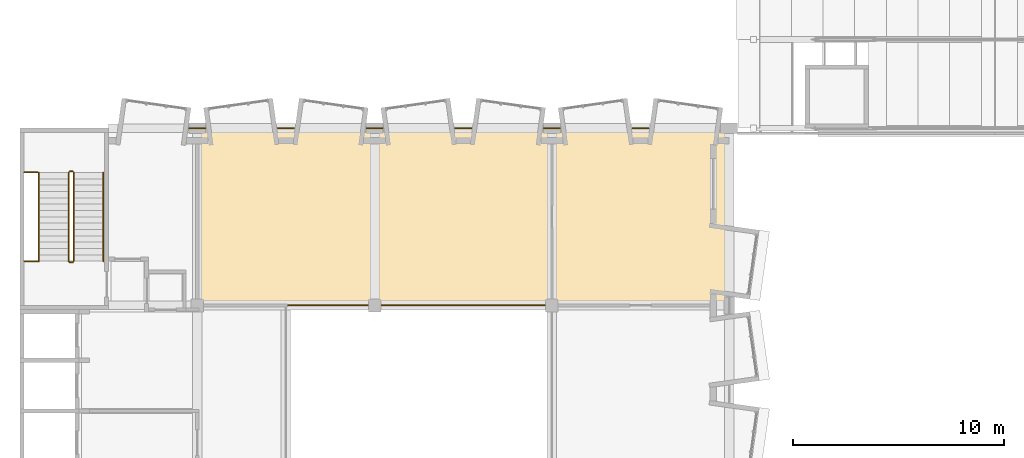
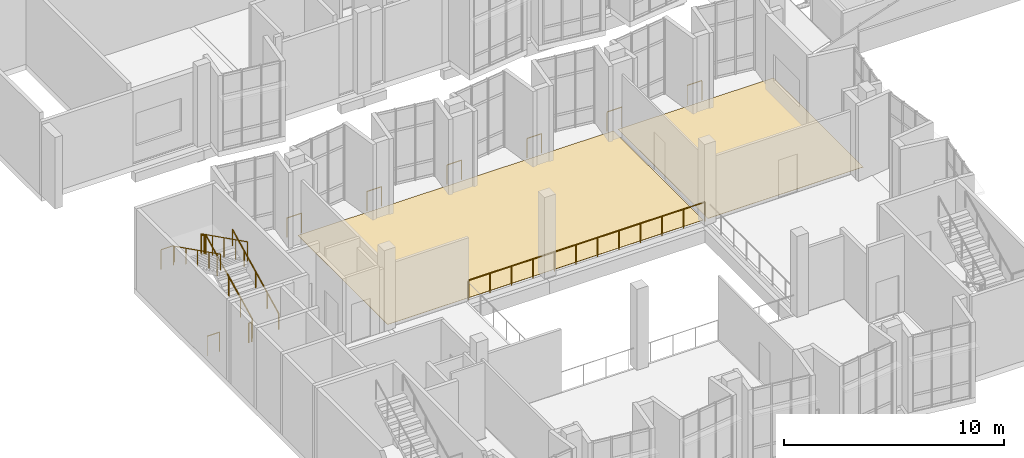
# One storey, part 92 of 95: 15 railings, 2 coverings.
"""IFC4 building model written with IfcOpenShell, lengths in metres."""

import ifcopenshell
import ifcopenshell.guid

model = None  # the IFC model being written
_history = None  # IfcOwnerHistory: only IFC2X3 demands one
_inside = {}  # id of a spatial element -> (the spatial element, [elements in it])
_under = {}  # id of a project, library or spatial element -> (it, [spatial elements below it])
_declared = {}  # id of a project -> (the project, [libraries it declares])
_typed = {}  # id of a type object -> (the type object, [elements of that type])
_made_of = {}  # id of a material, layer set ... -> (it, [elements and type objects made of it])


def new_model(schema):
    """Start an empty IFC model of exactly this schema.

    Asked for "IFC4X3", IfcOpenShell would pick the latest addendum, in which some entities
    have other attributes; the version numbers below select the first issue.
    IFC2X3 requires an IfcOwnerHistory on every rooted entity: one is made here for all.
    """
    global model, _history
    if schema == "IFC4X3":
        model = ifcopenshell.file(schema_version=(4, 3, 0, 0))
    else:
        model = ifcopenshell.file(schema=schema)
    _inside.clear()
    _under.clear()
    _declared.clear()
    _typed.clear()
    _made_of.clear()
    _history = None
    if model.schema == "IFC2X3":
        org = make("IfcOrganization", Name="unknown")
        user = make(
            "IfcPersonAndOrganization",
            ThePerson=make("IfcPerson", FamilyName="unknown"),
            TheOrganization=org,
        )
        app = make(
            "IfcApplication",
            ApplicationDeveloper=org,
            Version="unknown",
            ApplicationFullName="unknown",
            ApplicationIdentifier="unknown",
        )
        _history = make(
            "IfcOwnerHistory",
            OwningUser=user,
            OwningApplication=app,
            ChangeAction="ADDED",
            CreationDate=0,
        )
    return model


def make(cls, **values):
    """One entity of the class cls with the attributes given. An attribute that is None is left unset."""
    return model.create_entity(
        cls, **{name: value for name, value in values.items() if value is not None}
    )


def rooted(cls, **values):
    """An entity with a GlobalId (a new one), such as an element, a storey or a relation."""
    return make(cls, GlobalId=ifcopenshell.guid.new(), OwnerHistory=_history, **values)


def si_unit(unit_type, name, prefix=None):
    """IfcSIUnit, for example si_unit("LENGTHUNIT", "METRE", prefix="MILLI")."""
    return make("IfcSIUnit", UnitType=unit_type, Prefix=prefix, Name=name)


def assignment(units):
    """IfcUnitAssignment: the units of a project."""
    return None if units is None else make("IfcUnitAssignment", Units=units)


def point(xyz):
    """IfcCartesianPoint."""
    return None if xyz is None else make("IfcCartesianPoint", Coordinates=xyz)


def direction(xyz):
    """IfcDirection."""
    return None if xyz is None else make("IfcDirection", DirectionRatios=xyz)


def frame(location, z_axis=None, x_axis=None):
    """IfcAxis2Placement3D, a coordinate frame: its origin and axes. An axis left out is left unset."""
    return make(
        "IfcAxis2Placement3D",
        Location=point(location),
        Axis=direction(z_axis),
        RefDirection=direction(x_axis),
    )


def frame_2d(location, x_axis=None):
    """IfcAxis2Placement2D, a coordinate frame in the plane: its origin and x axis."""
    return make(
        "IfcAxis2Placement2D", Location=point(location), RefDirection=direction(x_axis)
    )


def origin():
    """The frame at (0, 0, 0) with its axes left unset."""
    return frame((0.0, 0.0, 0.0))


def origin_2d():
    """The frame at (0, 0) in the plane with its x axis left unset."""
    return frame_2d((0.0, 0.0))


def place(relative_to, where):
    """IfcLocalPlacement: puts the frame where relative to a parent placement (None: the world)."""
    return make(
        "IfcLocalPlacement", PlacementRelTo=relative_to, RelativePlacement=where
    )


def context(
    kind, dimensions, precision=None, world=None, true_north=None, identifier=None
):
    """IfcGeometricRepresentationContext, for example the 3D "Model" context."""
    return make(
        "IfcGeometricRepresentationContext",
        ContextIdentifier=identifier,
        ContextType=kind,
        CoordinateSpaceDimension=dimensions,
        Precision=precision,
        WorldCoordinateSystem=world,
        TrueNorth=true_north,
    )


def subcontext(parent, identifier, kind, view, scale=None):
    """IfcGeometricRepresentationSubContext, for example "Body" below "Model"."""
    return make(
        "IfcGeometricRepresentationSubContext",
        ContextIdentifier=identifier,
        ContextType=kind,
        ParentContext=parent,
        TargetScale=scale,
        TargetView=view,
    )


def project(units=None, contexts=None):
    """IfcProject with its units and contexts."""
    return rooted(
        "IfcProject",
        Name="project",
        RepresentationContexts=contexts,
        UnitsInContext=assignment(units),
    )


def spatial(cls, under=None, at=None, **own):
    """A site, building, storey or space (cls), placed at a placement, below another one or the project."""
    s = rooted(cls, ObjectPlacement=at, **own)
    if under is not None:
        _under.setdefault(under.id(), (under, []))[1].append(s)
    return s


def polyline(points):
    """IfcPolyline through the points."""
    return make("IfcPolyline", Points=[point(p) for p in points])


def profile(cls, at=None, kind="AREA", **sizes):
    """A parametric profile (cls). Its sizes go by their IFC names, for example OverallWidth=200.0."""
    return make(cls, ProfileType=kind, Position=at, **sizes)


def circle(**sizes):
    """IfcCircleProfileDef."""
    return profile("IfcCircleProfileDef", **sizes)


def outline(outer, holes=None, kind="AREA"):
    """IfcArbitraryClosedProfileDef: a profile drawn as a closed curve; with holes, ...WithVoids."""
    if holes is None:
        return make("IfcArbitraryClosedProfileDef", ProfileType=kind, OuterCurve=outer)
    return make(
        "IfcArbitraryProfileDefWithVoids",
        ProfileType=kind,
        OuterCurve=outer,
        InnerCurves=holes,
    )


def extrude(swept, where, along, depth):
    """IfcExtrudedAreaSolid: the profile swept, set in the frame where, extruded along a direction by depth."""
    return make(
        "IfcExtrudedAreaSolid",
        SweptArea=swept,
        Position=where,
        ExtrudedDirection=direction(along),
        Depth=depth,
    )


def shape(context_of_items, identifier, shape_type, items):
    """IfcShapeRepresentation: the items that make up one representation, for example the "Body"."""
    return make(
        "IfcShapeRepresentation",
        ContextOfItems=context_of_items,
        RepresentationIdentifier=identifier,
        RepresentationType=shape_type,
        Items=items,
    )


def material(Name=None, Category=None):
    """IfcMaterial."""
    return make("IfcMaterial", Name=Name, Category=Category)


def layer(
    of_material, thickness, ventilated=None, Name=None, Category=None, Priority=None
):
    """IfcMaterialLayer: one layer of a wall or slab, of a material (None: an air gap)."""
    return make(
        "IfcMaterialLayer",
        Material=of_material,
        LayerThickness=thickness,
        IsVentilated=ventilated,
        Name=Name,
        Category=Category,
        Priority=Priority,
    )


def layer_set(layers, Name=None):
    """IfcMaterialLayerSet."""
    return make("IfcMaterialLayerSet", MaterialLayers=layers, LayerSetName=Name)


def made_of(thing, what):
    """Note that an element or type object is made of a material, layer set ...; save() writes the relation."""
    if what is not None:
        _made_of.setdefault(what.id(), (what, []))[1].append(thing)
    return thing


def type_object(cls, material=None, **own):
    """A type object (cls), such as IfcWallType, which elements share."""
    return made_of(rooted(cls, **own), material)


def element(
    cls,
    number,
    at=None,
    inside=None,
    cuts=None,
    type_object=None,
    material=None,
    context=None,
    identifier="Body",
    shape_type=None,
    held_by="IfcProductDefinitionShape",
    body=None,
    shapes=None,
    **own,
):
    """One element of the class cls, such as IfcWall. Its Tag is "e" and its number.

    at: its placement. inside: the storey or other place that contains it. cuts: it is an
    opening in that element (IfcRelVoidsElement). A single representation is given by context,
    identifier, shape_type and body (its items); several are given by shapes. held_by: the class
    of the entity that holds the representations. save() writes the other relations.
    """
    e = rooted(cls, Tag="e%d" % number, ObjectPlacement=at, **own)
    if body is not None:
        shapes = [shape(context, identifier, shape_type, body)]
    if shapes is not None:
        e.Representation = make(held_by, Representations=shapes)
    if inside is not None:
        _inside.setdefault(inside.id(), (inside, []))[1].append(e)
    if cuts is not None:
        rooted(
            "IfcRelVoidsElement", RelatingBuildingElement=cuts, RelatedOpeningElement=e
        )
    if type_object is not None:
        _typed.setdefault(type_object.id(), (type_object, []))[1].append(e)
    return made_of(e, material)


def aggregate(whole, parts):
    """IfcRelAggregates: a whole, such as a stair, and the parts it consists of."""
    return rooted("IfcRelAggregates", RelatingObject=whole, RelatedObjects=parts)


def save(model, path):
    """Write the relations noted so far, then the file.

    IfcRelAggregates (storeys below a building ...), IfcRelContainedInSpatialStructure (elements
    in a storey), IfcRelDefinesByType, IfcRelAssociatesMaterial and IfcRelDeclares: one each for
    every whole, place, type object, material and project.
    """
    for whole, parts in _under.values():
        aggregate(whole, parts)
    for where, things in _inside.values():
        rooted(
            "IfcRelContainedInSpatialStructure",
            RelatedElements=things,
            RelatingStructure=where,
        )
    for kind, things in _typed.values():
        rooted("IfcRelDefinesByType", RelatedObjects=things, RelatingType=kind)
    for what, things in _made_of.values():
        rooted("IfcRelAssociatesMaterial", RelatedObjects=things, RelatingMaterial=what)
    for by, libraries in _declared.values():
        rooted("IfcRelDeclares", RelatingContext=by, RelatedDefinitions=libraries)
    model.write(path)


model = new_model("IFC4")

# Units and contexts
model_context = context("Model", 3, precision=1e-05, world=origin(), true_north=direction((0.0, 1.0)))
body_context = subcontext(model_context, "Body", "Model", "MODEL_VIEW")
ifc_project = project(units=[si_unit("LENGTHUNIT", "METRE"), si_unit("AREAUNIT", "SQUARE_METRE"), si_unit("VOLUMEUNIT", "CUBIC_METRE"), si_unit("PLANEANGLEUNIT", "RADIAN"), si_unit("MASSUNIT", "GRAM", prefix="KILO")], contexts=[model_context])

# Site, building, storey
site_placement = place(None, origin())
site = spatial("IfcSite", under=ifc_project, at=site_placement, CompositionType="ELEMENT")
building_placement = place(site_placement, origin())
building = spatial("IfcBuilding", under=site, at=building_placement, Name="Kiln Court Media Centre", CompositionType="ELEMENT")
storey_placement = place(building_placement, frame((0.0, 0.0, 24.60009765625)))
storey = spatial("IfcBuildingStorey", under=building, at=storey_placement, Name="L05", CompositionType="ELEMENT", Elevation=24.60009765625)

# Coverings
ifc_material_1 = material(Name="Carpet tile")
ifc_layer = layer(ifc_material_1, 0.014892578125)
ifc_layer_set = layer_set([ifc_layer], Name="Carpet tile floor finish 15")
covering_type = type_object("IfcCoveringType", Name="Carpet tile floor finish 15", PredefinedType="FLOORING", material=ifc_layer_set)
covering_1_placement = place(storey_placement, origin())
element("IfcCovering", 1, at=covering_1_placement, inside=storey, type_object=covering_type, Name="Media Stacks floor finish", PredefinedType="FLOORING", context=body_context, shape_type="SweptSolid", body=[
    extrude(outline(polyline([(8.52001953125, 16.919921875), (25.080078125, 16.919921875), (25.080078125, 25.080078125), (8.52001953125, 25.080078125), (8.52001953125, 16.919921875)])), origin(), (0.0, 0.0, 1.0), 0.014892578125),
])
covering_2_placement = place(storey_placement, origin())
element("IfcCovering", 2, at=covering_2_placement, inside=storey, type_object=covering_type, Name="Archive Reading Room floor finish", PredefinedType="FLOORING", context=body_context, shape_type="SweptSolid", body=[
    extrude(outline(polyline([(25.320068359375, 16.919921875), (33.47998046875, 16.919921875), (33.47998046875, 25.080078125), (25.320068359375, 25.080078125), (25.320068359375, 16.919921875)])), origin(), (0.0, 0.0, 1.0), 0.014892578125),
])

# Railings
ifc_material_2 = material(Name="Steel S275", Category="steel")
railing_type_1 = type_object("IfcRailingType", Name="Steel S275 balustrade guard 1100", PredefinedType="GUARDRAIL", material=ifc_material_2)
railing_1_placement = place(storey_placement, frame((25.10498046875, 16.800048828125, 0.0)))
element("IfcRailing", 3, at=railing_1_placement, inside=storey, type_object=railing_type_1, Name="L05 void edge guard", PredefinedType="GUARDRAIL", context=body_context, shape_type="SweptSolid", body=[
    extrude(circle(Radius=0.02392578125, at=origin_2d()), frame((0.0, 0.0, 1.076171875), z_axis=(-1.0, 0.0, 0.0), x_axis=(0.0, -1.0, 0.0)), (0.0, 0.0, 1.0), 12.409912109375),
    extrude(circle(Radius=0.02099609375, at=origin_2d()), origin(), (0.0, 0.0, 1.0), 1.052001953125),
    extrude(circle(Radius=0.02099609375, at=origin_2d()), frame((-1.128173828125, 0.0, 0.0)), (0.0, 0.0, 1.0), 1.052001953125),
    extrude(circle(Radius=0.02099609375, at=origin_2d()), frame((-2.25634765625, 0.0, 0.0)), (0.0, 0.0, 1.0), 1.052001953125),
    extrude(circle(Radius=0.02099609375, at=origin_2d()), frame((-3.384521484375, 0.0, 0.0)), (0.0, 0.0, 1.0), 1.052001953125),
    extrude(circle(Radius=0.02099609375, at=origin_2d()), frame((-4.5126953125, 0.0, 0.0)), (0.0, 0.0, 1.0), 1.052001953125),
    extrude(circle(Radius=0.02099609375, at=origin_2d()), frame((-5.640869140625, 0.0, 0.0)), (0.0, 0.0, 1.0), 1.052001953125),
    extrude(circle(Radius=0.02099609375, at=origin_2d()), frame((-6.76904296875, 0.0, 0.0)), (0.0, 0.0, 1.0), 1.052001953125),
    extrude(circle(Radius=0.02099609375, at=origin_2d()), frame((-7.897216796875, 0.0, 0.0)), (0.0, 0.0, 1.0), 1.052001953125),
    extrude(circle(Radius=0.02099609375, at=origin_2d()), frame((-9.025390625, 0.0, 0.0)), (0.0, 0.0, 1.0), 1.052001953125),
    extrude(circle(Radius=0.02099609375, at=origin_2d()), frame((-10.153564453125, 0.0, 0.0)), (0.0, 0.0, 1.0), 1.052001953125),
    extrude(circle(Radius=0.02099609375, at=origin_2d()), frame((-11.28173828125, 0.0, 0.0)), (0.0, 0.0, 1.0), 1.052001953125),
    extrude(circle(Radius=0.02099609375, at=origin_2d()), frame((-12.409912109375, 0.0, 0.0)), (0.0, 0.0, 1.0), 1.052001953125),
])
for number, where, name in (
    (4, (8.017578125, 25.199951171875, 0.0), "L05 slab notch guard"),
    (5, (12.2177734375, 25.199951171875, 0.0), "L05 slab notch guard"),
    (6, (16.417724609375, 25.199951171875, 0.0), "L05 slab notch guard"),
    (7, (20.61767578125, 25.199951171875, 0.0), "L05 slab notch guard"),
    (8, (24.817626953125, 25.199951171875, 0.0), "L05 slab notch guard"),
    (9, (29.017578125, 25.199951171875, 0.0), "L05 slab notch guard"),
):
    element("IfcRailing", number, at=place(storey_placement, frame(where)), inside=storey, type_object=railing_type_1, Name=name, PredefinedType="GUARDRAIL", context=body_context, shape_type="SweptSolid", body=[
        extrude(circle(Radius=0.02392578125, at=origin_2d()), frame((0.0, 0.0, 1.076171875), z_axis=(1.0, 0.0, 0.0), x_axis=(0.0, 1.0, 0.0)), (0.0, 0.0, 1.0), 0.7646484375),
        extrude(circle(Radius=0.02099609375, at=origin_2d()), origin(), (0.0, 0.0, 1.0), 1.052001953125),
        extrude(circle(Radius=0.02099609375, at=origin_2d()), frame((0.7646484375, 0.0, 0.0)), (0.0, 0.0, 1.0), 1.052001953125),
    ])
ifc_material_3 = material(Name="Steel S275", Category="steel")
railing_type_2 = type_object("IfcRailingType", Name="Steel S275 stair guard 1100", PredefinedType="GUARDRAIL", material=ifc_material_3)
railing_2_placement = place(storey_placement, frame((2.550048828125, 18.89990234375, 0.14990234375)))
element("IfcRailing", 10, at=railing_2_placement, inside=storey, type_object=railing_type_2, Name="ST-02 stair guard", PredefinedType="GUARDRAIL", context=body_context, shape_type="SweptSolid", body=[
    extrude(circle(Radius=0.02392578125, at=origin_2d()), frame((0.0, 0.0, 1.076171875), z_axis=(0.0, 0.894427191, 0.4472135955), x_axis=(-1.0, 0.0, 0.0)), (0.0, 0.0, 1.0), 4.696044921875),
    extrude(circle(Radius=0.02099609375, at=origin_2d()), origin(), (0.0, 0.0, 1.0), 1.052001953125),
    extrude(circle(Radius=0.02099609375, at=origin_2d()), frame((0.0, 1.050048828125, 0.52490234375)), (0.0, 0.0, 1.0), 1.052001953125),
    extrude(circle(Radius=0.02099609375, at=origin_2d()), frame((0.0, 2.10009765625, 1.050048828125)), (0.0, 0.0, 1.0), 1.052001953125),
    extrude(circle(Radius=0.02099609375, at=origin_2d()), frame((0.0, 3.150146484375, 1.5751953125)), (0.0, 0.0, 1.0), 1.052001953125),
    extrude(circle(Radius=0.02099609375, at=origin_2d()), frame((0.0, 4.2001953125, 2.10009765625)), (0.0, 0.0, 1.0), 1.052001953125),
])
railing_3_placement = place(storey_placement, frame((2.5, 23.14990234375, 2.25)))
element("IfcRailing", 11, at=railing_3_placement, inside=storey, type_object=railing_type_2, Name="ST-02 stair guard", PredefinedType="GUARDRAIL", context=body_context, shape_type="SweptSolid", body=[
    extrude(circle(Radius=0.02392578125, at=origin_2d()), frame((0.0, 0.0, 1.076171875), z_axis=(-1.0, 0.0, 0.0), x_axis=(0.0, -1.0, 0.0)), (0.0, 0.0, 1.0), 0.14990234375),
    extrude(circle(Radius=0.02099609375, at=origin_2d()), origin(), (0.0, 0.0, 1.0), 1.052001953125),
    extrude(circle(Radius=0.02099609375, at=origin_2d()), frame((-0.14990234375, 0.0, 0.0)), (0.0, 0.0, 1.0), 1.052001953125),
])
railing_4_placement = place(storey_placement, frame((2.300048828125, 23.10009765625, 2.39990234375)))
element("IfcRailing", 12, at=railing_4_placement, inside=storey, type_object=railing_type_2, Name="ST-02 stair guard", PredefinedType="GUARDRAIL", context=body_context, shape_type="SweptSolid", body=[
    extrude(circle(Radius=0.02392578125, at=origin_2d()), frame((0.0, 0.0, 1.076171875), z_axis=(0.0, -0.894427191, 0.4472135955), x_axis=(1.0, 0.0, 0.0)), (0.0, 0.0, 1.0), 4.696044921875),
    extrude(circle(Radius=0.02099609375, at=origin_2d()), origin(), (0.0, 0.0, 1.0), 1.052001953125),
    extrude(circle(Radius=0.02099609375, at=origin_2d()), frame((0.0, -1.050048828125, 0.52490234375)), (0.0, 0.0, 1.0), 1.052001953125),
    extrude(circle(Radius=0.02099609375, at=origin_2d()), frame((0.0, -2.10009765625, 1.050048828125)), (0.0, 0.0, 1.0), 1.052001953125),
    extrude(circle(Radius=0.02099609375, at=origin_2d()), frame((0.0, -3.150146484375, 1.5751953125)), (0.0, 0.0, 1.0), 1.052001953125),
    extrude(circle(Radius=0.02099609375, at=origin_2d()), frame((0.0, -4.2001953125, 2.10009765625)), (0.0, 0.0, 1.0), 1.052001953125),
])
railing_5_placement = place(storey_placement, frame((2.5, 18.85009765625, 0.0)))
element("IfcRailing", 13, at=railing_5_placement, inside=storey, type_object=railing_type_2, Name="ST-02 stair guard", PredefinedType="GUARDRAIL", context=body_context, shape_type="SweptSolid", body=[
    extrude(circle(Radius=0.02392578125, at=origin_2d()), frame((0.0, 0.0, 1.076171875), z_axis=(-1.0, 0.0, 0.0), x_axis=(0.0, -1.0, 0.0)), (0.0, 0.0, 1.0), 0.14990234375),
    extrude(circle(Radius=0.02099609375, at=origin_2d()), origin(), (0.0, 0.0, 1.0), 1.052001953125),
    extrude(circle(Radius=0.02099609375, at=origin_2d()), frame((-0.14990234375, 0.0, 0.0)), (0.0, 0.0, 1.0), 1.052001953125),
])
for number, where, name in (
    (14, (0.85009765625, 23.10009765625, 2.25), "ST-02 landing edge guard"),
    (15, (0.85009765625, 18.89990234375, 0.0), "ST-02 landing edge guard"),
):
    element("IfcRailing", number, at=place(storey_placement, frame(where)), inside=storey, type_object=railing_type_2, Name=name, PredefinedType="GUARDRAIL", context=body_context, shape_type="SweptSolid", body=[
        extrude(circle(Radius=0.02392578125, at=origin_2d()), frame((0.0, 0.0, 1.076171875), z_axis=(-1.0, 0.0, 0.0), x_axis=(0.0, -1.0, 0.0)), (0.0, 0.0, 1.0), 0.650146484375),
        extrude(circle(Radius=0.02099609375, at=origin_2d()), origin(), (0.0, 0.0, 1.0), 1.052001953125),
        extrude(circle(Radius=0.02099609375, at=origin_2d()), frame((-0.650146484375, 0.0, 0.0)), (0.0, 0.0, 1.0), 1.052001953125),
    ])
ifc_material_4 = material(Name="Steel S275", Category="steel")
railing_type_3 = type_object("IfcRailingType", Name="Steel S275 stair handrail 900", PredefinedType="HANDRAIL", material=ifc_material_4)
railing_6_placement = place(storey_placement, frame((3.949951171875, 18.89990234375, 0.14990234375)))
element("IfcRailing", 16, at=railing_6_placement, inside=storey, type_object=railing_type_3, Name="ST-02 stair handrail", PredefinedType="HANDRAIL", context=body_context, shape_type="SweptSolid", body=[
    extrude(circle(Radius=0.02392578125, at=origin_2d()), frame((0.0, 0.0, 0.8759765625), z_axis=(0.0, 0.894427191, 0.4472135955), x_axis=(-1.0, 0.0, 0.0)), (0.0, 0.0, 1.0), 4.696044921875),
    extrude(circle(Radius=0.02099609375, at=origin_2d()), origin(), (0.0, 0.0, 1.0), 0.851806640625),
    extrude(circle(Radius=0.02099609375, at=origin_2d()), frame((0.0, 1.050048828125, 0.52490234375)), (0.0, 0.0, 1.0), 0.851806640625),
    extrude(circle(Radius=0.02099609375, at=origin_2d()), frame((0.0, 2.10009765625, 1.050048828125)), (0.0, 0.0, 1.0), 0.851806640625),
    extrude(circle(Radius=0.02099609375, at=origin_2d()), frame((0.0, 3.150146484375, 1.5751953125)), (0.0, 0.0, 1.0), 0.851806640625),
    extrude(circle(Radius=0.02099609375, at=origin_2d()), frame((0.0, 4.2001953125, 2.10009765625)), (0.0, 0.0, 1.0), 0.851806640625),
])
railing_7_placement = place(storey_placement, frame((0.89990234375, 23.10009765625, 2.39990234375)))
element("IfcRailing", 17, at=railing_7_placement, inside=storey, type_object=railing_type_3, Name="ST-02 stair handrail", PredefinedType="HANDRAIL", context=body_context, shape_type="SweptSolid", body=[
    extrude(circle(Radius=0.02392578125, at=origin_2d()), frame((0.0, 0.0, 0.8759765625), z_axis=(0.0, -0.894427191, 0.4472135955), x_axis=(1.0, 0.0, 0.0)), (0.0, 0.0, 1.0), 4.696044921875),
    extrude(circle(Radius=0.02099609375, at=origin_2d()), origin(), (0.0, 0.0, 1.0), 0.851806640625),
    extrude(circle(Radius=0.02099609375, at=origin_2d()), frame((0.0, -1.050048828125, 0.52490234375)), (0.0, 0.0, 1.0), 0.851806640625),
    extrude(circle(Radius=0.02099609375, at=origin_2d()), frame((0.0, -2.10009765625, 1.050048828125)), (0.0, 0.0, 1.0), 0.851806640625),
    extrude(circle(Radius=0.02099609375, at=origin_2d()), frame((0.0, -3.150146484375, 1.5751953125)), (0.0, 0.0, 1.0), 0.851806640625),
    extrude(circle(Radius=0.02099609375, at=origin_2d()), frame((0.0, -4.2001953125, 2.10009765625)), (0.0, 0.0, 1.0), 0.851806640625),
])

save(model, "model.ifc")
